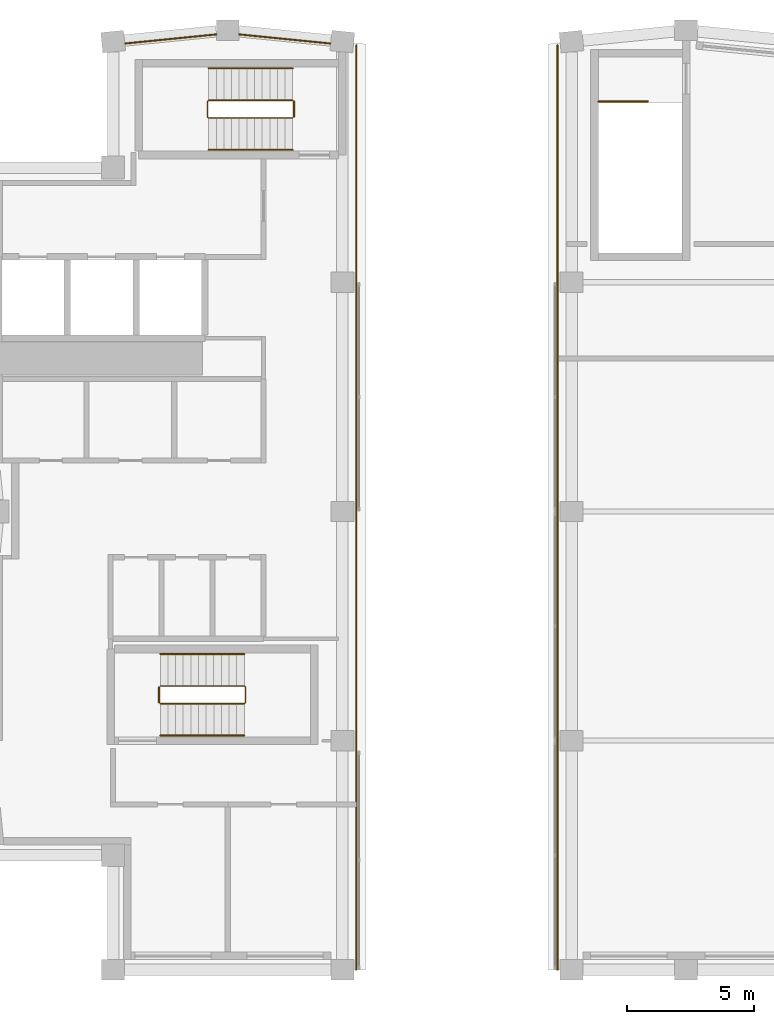
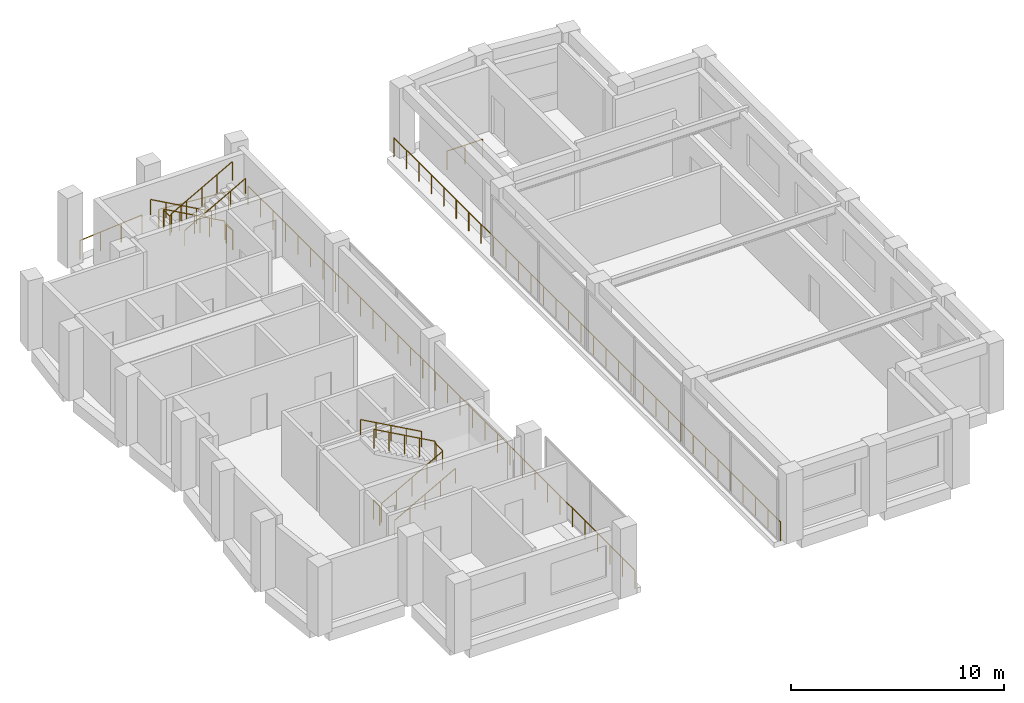
# One storey, part 9 of 9: 13 railings.
"""IFC4 building model written with IfcOpenShell, lengths in metres."""

import ifcopenshell
import ifcopenshell.guid

model = None  # the IFC model being written
_history = None  # IfcOwnerHistory: only IFC2X3 demands one
_inside = {}  # id of a spatial element -> (the spatial element, [elements in it])
_under = {}  # id of a project, library or spatial element -> (it, [spatial elements below it])
_declared = {}  # id of a project -> (the project, [libraries it declares])
_typed = {}  # id of a type object -> (the type object, [elements of that type])
_made_of = {}  # id of a material, layer set ... -> (it, [elements and type objects made of it])


def new_model(schema):
    """Start an empty IFC model of exactly this schema.

    Asked for "IFC4X3", IfcOpenShell would pick the latest addendum, in which some entities
    have other attributes; the version numbers below select the first issue.
    IFC2X3 requires an IfcOwnerHistory on every rooted entity: one is made here for all.
    """
    global model, _history
    if schema == "IFC4X3":
        model = ifcopenshell.file(schema_version=(4, 3, 0, 0))
    else:
        model = ifcopenshell.file(schema=schema)
    _inside.clear()
    _under.clear()
    _declared.clear()
    _typed.clear()
    _made_of.clear()
    _history = None
    if model.schema == "IFC2X3":
        org = make("IfcOrganization", Name="unknown")
        user = make(
            "IfcPersonAndOrganization",
            ThePerson=make("IfcPerson", FamilyName="unknown"),
            TheOrganization=org,
        )
        app = make(
            "IfcApplication",
            ApplicationDeveloper=org,
            Version="unknown",
            ApplicationFullName="unknown",
            ApplicationIdentifier="unknown",
        )
        _history = make(
            "IfcOwnerHistory",
            OwningUser=user,
            OwningApplication=app,
            ChangeAction="ADDED",
            CreationDate=0,
        )
    return model


def make(cls, **values):
    """One entity of the class cls with the attributes given. An attribute that is None is left unset."""
    return model.create_entity(
        cls, **{name: value for name, value in values.items() if value is not None}
    )


def rooted(cls, **values):
    """An entity with a GlobalId (a new one), such as an element, a storey or a relation."""
    return make(cls, GlobalId=ifcopenshell.guid.new(), OwnerHistory=_history, **values)


def si_unit(unit_type, name, prefix=None):
    """IfcSIUnit, for example si_unit("LENGTHUNIT", "METRE", prefix="MILLI")."""
    return make("IfcSIUnit", UnitType=unit_type, Prefix=prefix, Name=name)


def assignment(units):
    """IfcUnitAssignment: the units of a project."""
    return None if units is None else make("IfcUnitAssignment", Units=units)


def point(xyz):
    """IfcCartesianPoint."""
    return None if xyz is None else make("IfcCartesianPoint", Coordinates=xyz)


def direction(xyz):
    """IfcDirection."""
    return None if xyz is None else make("IfcDirection", DirectionRatios=xyz)


def frame(location, z_axis=None, x_axis=None):
    """IfcAxis2Placement3D, a coordinate frame: its origin and axes. An axis left out is left unset."""
    return make(
        "IfcAxis2Placement3D",
        Location=point(location),
        Axis=direction(z_axis),
        RefDirection=direction(x_axis),
    )


def frame_2d(location, x_axis=None):
    """IfcAxis2Placement2D, a coordinate frame in the plane: its origin and x axis."""
    return make(
        "IfcAxis2Placement2D", Location=point(location), RefDirection=direction(x_axis)
    )


def origin():
    """The frame at (0, 0, 0) with its axes left unset."""
    return frame((0.0, 0.0, 0.0))


def origin_2d():
    """The frame at (0, 0) in the plane with its x axis left unset."""
    return frame_2d((0.0, 0.0))


def place(relative_to, where):
    """IfcLocalPlacement: puts the frame where relative to a parent placement (None: the world)."""
    return make(
        "IfcLocalPlacement", PlacementRelTo=relative_to, RelativePlacement=where
    )


def context(
    kind, dimensions, precision=None, world=None, true_north=None, identifier=None
):
    """IfcGeometricRepresentationContext, for example the 3D "Model" context."""
    return make(
        "IfcGeometricRepresentationContext",
        ContextIdentifier=identifier,
        ContextType=kind,
        CoordinateSpaceDimension=dimensions,
        Precision=precision,
        WorldCoordinateSystem=world,
        TrueNorth=true_north,
    )


def subcontext(parent, identifier, kind, view, scale=None):
    """IfcGeometricRepresentationSubContext, for example "Body" below "Model"."""
    return make(
        "IfcGeometricRepresentationSubContext",
        ContextIdentifier=identifier,
        ContextType=kind,
        ParentContext=parent,
        TargetScale=scale,
        TargetView=view,
    )


def project(units=None, contexts=None):
    """IfcProject with its units and contexts."""
    return rooted(
        "IfcProject",
        Name="project",
        RepresentationContexts=contexts,
        UnitsInContext=assignment(units),
    )


def spatial(cls, under=None, at=None, **own):
    """A site, building, storey or space (cls), placed at a placement, below another one or the project."""
    s = rooted(cls, ObjectPlacement=at, **own)
    if under is not None:
        _under.setdefault(under.id(), (under, []))[1].append(s)
    return s


def profile(cls, at=None, kind="AREA", **sizes):
    """A parametric profile (cls). Its sizes go by their IFC names, for example OverallWidth=200.0."""
    return make(cls, ProfileType=kind, Position=at, **sizes)


def circle(**sizes):
    """IfcCircleProfileDef."""
    return profile("IfcCircleProfileDef", **sizes)


def extrude(swept, where, along, depth):
    """IfcExtrudedAreaSolid: the profile swept, set in the frame where, extruded along a direction by depth."""
    return make(
        "IfcExtrudedAreaSolid",
        SweptArea=swept,
        Position=where,
        ExtrudedDirection=direction(along),
        Depth=depth,
    )


def shape(context_of_items, identifier, shape_type, items):
    """IfcShapeRepresentation: the items that make up one representation, for example the "Body"."""
    return make(
        "IfcShapeRepresentation",
        ContextOfItems=context_of_items,
        RepresentationIdentifier=identifier,
        RepresentationType=shape_type,
        Items=items,
    )


def material(Name=None, Category=None):
    """IfcMaterial."""
    return make("IfcMaterial", Name=Name, Category=Category)


def made_of(thing, what):
    """Note that an element or type object is made of a material, layer set ...; save() writes the relation."""
    if what is not None:
        _made_of.setdefault(what.id(), (what, []))[1].append(thing)
    return thing


def type_object(cls, material=None, **own):
    """A type object (cls), such as IfcWallType, which elements share."""
    return made_of(rooted(cls, **own), material)


def element(
    cls,
    number,
    at=None,
    inside=None,
    cuts=None,
    type_object=None,
    material=None,
    context=None,
    identifier="Body",
    shape_type=None,
    held_by="IfcProductDefinitionShape",
    body=None,
    shapes=None,
    **own,
):
    """One element of the class cls, such as IfcWall. Its Tag is "e" and its number.

    at: its placement. inside: the storey or other place that contains it. cuts: it is an
    opening in that element (IfcRelVoidsElement). A single representation is given by context,
    identifier, shape_type and body (its items); several are given by shapes. held_by: the class
    of the entity that holds the representations. save() writes the other relations.
    """
    e = rooted(cls, Tag="e%d" % number, ObjectPlacement=at, **own)
    if body is not None:
        shapes = [shape(context, identifier, shape_type, body)]
    if shapes is not None:
        e.Representation = make(held_by, Representations=shapes)
    if inside is not None:
        _inside.setdefault(inside.id(), (inside, []))[1].append(e)
    if cuts is not None:
        rooted(
            "IfcRelVoidsElement", RelatingBuildingElement=cuts, RelatedOpeningElement=e
        )
    if type_object is not None:
        _typed.setdefault(type_object.id(), (type_object, []))[1].append(e)
    return made_of(e, material)


def aggregate(whole, parts):
    """IfcRelAggregates: a whole, such as a stair, and the parts it consists of."""
    return rooted("IfcRelAggregates", RelatingObject=whole, RelatedObjects=parts)


def save(model, path):
    """Write the relations noted so far, then the file.

    IfcRelAggregates (storeys below a building ...), IfcRelContainedInSpatialStructure (elements
    in a storey), IfcRelDefinesByType, IfcRelAssociatesMaterial and IfcRelDeclares: one each for
    every whole, place, type object, material and project.
    """
    for whole, parts in _under.values():
        aggregate(whole, parts)
    for where, things in _inside.values():
        rooted(
            "IfcRelContainedInSpatialStructure",
            RelatedElements=things,
            RelatingStructure=where,
        )
    for kind, things in _typed.values():
        rooted("IfcRelDefinesByType", RelatedObjects=things, RelatingType=kind)
    for what, things in _made_of.values():
        rooted("IfcRelAssociatesMaterial", RelatedObjects=things, RelatingMaterial=what)
    for by, libraries in _declared.values():
        rooted("IfcRelDeclares", RelatingContext=by, RelatedDefinitions=libraries)
    model.write(path)


model = new_model("IFC4")

# Units and contexts
model_context = context("Model", 3, precision=1e-05, world=origin(), true_north=direction((0.0, 1.0)))
body_context = subcontext(model_context, "Body", "Model", "MODEL_VIEW")
ifc_project = project(units=[si_unit("LENGTHUNIT", "METRE"), si_unit("AREAUNIT", "SQUARE_METRE"), si_unit("VOLUMEUNIT", "CUBIC_METRE"), si_unit("PLANEANGLEUNIT", "RADIAN"), si_unit("MASSUNIT", "GRAM", prefix="KILO")], contexts=[model_context])

# Site, building, storey
site_placement = place(None, origin())
site = spatial("IfcSite", under=ifc_project, at=site_placement, CompositionType="ELEMENT")
building_placement = place(site_placement, origin())
building = spatial("IfcBuilding", under=site, at=building_placement, Name="Brondeck Convention Tower", CompositionType="ELEMENT")
storey_placement = place(building_placement, frame((0.0, 0.0, 294.800048828125)))
storey = spatial("IfcBuildingStorey", under=building, at=storey_placement, Name="L73", CompositionType="ELEMENT", Elevation=294.800048828125)

# Railings
ifc_material_1 = material(Name="Steel S355, bronze painted", Category="steel")
railing_type_1 = type_object("IfcRailingType", Name="Guard, bronze steel rail and posts", PredefinedType="GUARDRAIL", material=ifc_material_1)
railing_1_placement = place(storey_placement, frame((14.050048828125, 27.0, 0.0)))
element("IfcRailing", 1, at=railing_1_placement, inside=storey, type_object=railing_type_1, Name="ENV-SLOT-144-L73-RL1", PredefinedType="GUARDRAIL", context=body_context, shape_type="SweptSolid", body=[
    extrude(circle(Radius=0.02490234375, at=origin_2d()), frame((0.0, 0.0, 1.0751953125), z_axis=(0.0, 1.0, 0.0), x_axis=(-1.0, 0.0, 0.0)), (0.0, 0.0, 1.0), 36.294921875),
    extrude(circle(Radius=0.02490234375, at=origin_2d()), origin(), (0.0, 0.0, 1.0), 1.050048828125),
    extrude(circle(Radius=0.02490234375, at=origin_2d()), frame((0.0, 1.1708984375, 0.0)), (0.0, 0.0, 1.0), 1.050048828125),
    extrude(circle(Radius=0.02490234375, at=origin_2d()), frame((0.0, 2.341552734375, 0.0)), (0.0, 0.0, 1.0), 1.050048828125),
    extrude(circle(Radius=0.02490234375, at=origin_2d()), frame((0.0, 3.512451171875, 0.0)), (0.0, 0.0, 1.0), 1.050048828125),
    extrude(circle(Radius=0.02490234375, at=origin_2d()), frame((0.0, 4.68310546875, 0.0)), (0.0, 0.0, 1.0), 1.050048828125),
    extrude(circle(Radius=0.02490234375, at=origin_2d()), frame((0.0, 5.85400390625, 0.0)), (0.0, 0.0, 1.0), 1.050048828125),
    extrude(circle(Radius=0.02490234375, at=origin_2d()), frame((0.0, 7.02490234375, 0.0)), (0.0, 0.0, 1.0), 1.050048828125),
    extrude(circle(Radius=0.02490234375, at=origin_2d()), frame((0.0, 8.195556640625, 0.0)), (0.0, 0.0, 1.0), 1.050048828125),
    extrude(circle(Radius=0.02490234375, at=origin_2d()), frame((0.0, 9.366455078125, 0.0)), (0.0, 0.0, 1.0), 1.050048828125),
    extrude(circle(Radius=0.02490234375, at=origin_2d()), frame((0.0, 10.537353515625, 0.0)), (0.0, 0.0, 1.0), 1.050048828125),
    extrude(circle(Radius=0.02490234375, at=origin_2d()), frame((0.0, 11.7080078125, 0.0)), (0.0, 0.0, 1.0), 1.050048828125),
    extrude(circle(Radius=0.02490234375, at=origin_2d()), frame((0.0, 12.87890625, 0.0)), (0.0, 0.0, 1.0), 1.050048828125),
    extrude(circle(Radius=0.02490234375, at=origin_2d()), frame((0.0, 14.049560546875, 0.0)), (0.0, 0.0, 1.0), 1.050048828125),
    extrude(circle(Radius=0.02490234375, at=origin_2d()), frame((0.0, 15.220458984375, 0.0)), (0.0, 0.0, 1.0), 1.050048828125),
    extrude(circle(Radius=0.02490234375, at=origin_2d()), frame((0.0, 16.391357421875, 0.0)), (0.0, 0.0, 1.0), 1.050048828125),
    extrude(circle(Radius=0.02490234375, at=origin_2d()), frame((0.0, 17.56201171875, 0.0)), (0.0, 0.0, 1.0), 1.050048828125),
    extrude(circle(Radius=0.02490234375, at=origin_2d()), frame((0.0, 18.73291015625, 0.0)), (0.0, 0.0, 1.0), 1.050048828125),
    extrude(circle(Radius=0.02490234375, at=origin_2d()), frame((0.0, 19.903564453125, 0.0)), (0.0, 0.0, 1.0), 1.050048828125),
    extrude(circle(Radius=0.02490234375, at=origin_2d()), frame((0.0, 21.074462890625, 0.0)), (0.0, 0.0, 1.0), 1.050048828125),
    extrude(circle(Radius=0.02490234375, at=origin_2d()), frame((0.0, 22.245361328125, 0.0)), (0.0, 0.0, 1.0), 1.050048828125),
    extrude(circle(Radius=0.02490234375, at=origin_2d()), frame((0.0, 23.416015625, 0.0)), (0.0, 0.0, 1.0), 1.050048828125),
    extrude(circle(Radius=0.02490234375, at=origin_2d()), frame((0.0, 24.5869140625, 0.0)), (0.0, 0.0, 1.0), 1.050048828125),
    extrude(circle(Radius=0.02490234375, at=origin_2d()), frame((0.0, 25.757568359375, 0.0)), (0.0, 0.0, 1.0), 1.050048828125),
    extrude(circle(Radius=0.02490234375, at=origin_2d()), frame((0.0, 26.928466796875, 0.0)), (0.0, 0.0, 1.0), 1.050048828125),
    extrude(circle(Radius=0.02490234375, at=origin_2d()), frame((0.0, 28.099365234375, 0.0)), (0.0, 0.0, 1.0), 1.050048828125),
    extrude(circle(Radius=0.02490234375, at=origin_2d()), frame((0.0, 29.27001953125, 0.0)), (0.0, 0.0, 1.0), 1.050048828125),
    extrude(circle(Radius=0.02490234375, at=origin_2d()), frame((0.0, 30.44091796875, 0.0)), (0.0, 0.0, 1.0), 1.050048828125),
    extrude(circle(Radius=0.02490234375, at=origin_2d()), frame((0.0, 31.61181640625, 0.0)), (0.0, 0.0, 1.0), 1.050048828125),
    extrude(circle(Radius=0.02490234375, at=origin_2d()), frame((0.0, 32.782470703125, 0.0)), (0.0, 0.0, 1.0), 1.050048828125),
    extrude(circle(Radius=0.02490234375, at=origin_2d()), frame((0.0, 33.953369140625, 0.0)), (0.0, 0.0, 1.0), 1.050048828125),
    extrude(circle(Radius=0.02490234375, at=origin_2d()), frame((0.0, 35.1240234375, 0.0)), (0.0, 0.0, 1.0), 1.050048828125),
    extrude(circle(Radius=0.02490234375, at=origin_2d()), frame((0.0, 36.294921875, 0.0)), (0.0, 0.0, 1.0), 1.050048828125),
])
railing_2_placement = place(storey_placement, frame((21.949951171875, 27.0, 0.0)))
element("IfcRailing", 2, at=railing_2_placement, inside=storey, type_object=railing_type_1, Name="ENV-SLOT-216-L73-RL1", PredefinedType="GUARDRAIL", context=body_context, shape_type="SweptSolid", body=[
    extrude(circle(Radius=0.02490234375, at=origin_2d()), frame((0.0, 0.0, 1.0751953125), z_axis=(0.0, 1.0, 0.0), x_axis=(-1.0, 0.0, 0.0)), (0.0, 0.0, 1.0), 36.294921875),
    extrude(circle(Radius=0.02490234375, at=origin_2d()), origin(), (0.0, 0.0, 1.0), 1.050048828125),
    extrude(circle(Radius=0.02490234375, at=origin_2d()), frame((0.0, 1.1708984375, 0.0)), (0.0, 0.0, 1.0), 1.050048828125),
    extrude(circle(Radius=0.02490234375, at=origin_2d()), frame((0.0, 2.341552734375, 0.0)), (0.0, 0.0, 1.0), 1.050048828125),
    extrude(circle(Radius=0.02490234375, at=origin_2d()), frame((0.0, 3.512451171875, 0.0)), (0.0, 0.0, 1.0), 1.050048828125),
    extrude(circle(Radius=0.02490234375, at=origin_2d()), frame((0.0, 4.68310546875, 0.0)), (0.0, 0.0, 1.0), 1.050048828125),
    extrude(circle(Radius=0.02490234375, at=origin_2d()), frame((0.0, 5.85400390625, 0.0)), (0.0, 0.0, 1.0), 1.050048828125),
    extrude(circle(Radius=0.02490234375, at=origin_2d()), frame((0.0, 7.02490234375, 0.0)), (0.0, 0.0, 1.0), 1.050048828125),
    extrude(circle(Radius=0.02490234375, at=origin_2d()), frame((0.0, 8.195556640625, 0.0)), (0.0, 0.0, 1.0), 1.050048828125),
    extrude(circle(Radius=0.02490234375, at=origin_2d()), frame((0.0, 9.366455078125, 0.0)), (0.0, 0.0, 1.0), 1.050048828125),
    extrude(circle(Radius=0.02490234375, at=origin_2d()), frame((0.0, 10.537353515625, 0.0)), (0.0, 0.0, 1.0), 1.050048828125),
    extrude(circle(Radius=0.02490234375, at=origin_2d()), frame((0.0, 11.7080078125, 0.0)), (0.0, 0.0, 1.0), 1.050048828125),
    extrude(circle(Radius=0.02490234375, at=origin_2d()), frame((0.0, 12.87890625, 0.0)), (0.0, 0.0, 1.0), 1.050048828125),
    extrude(circle(Radius=0.02490234375, at=origin_2d()), frame((0.0, 14.049560546875, 0.0)), (0.0, 0.0, 1.0), 1.050048828125),
    extrude(circle(Radius=0.02490234375, at=origin_2d()), frame((0.0, 15.220458984375, 0.0)), (0.0, 0.0, 1.0), 1.050048828125),
    extrude(circle(Radius=0.02490234375, at=origin_2d()), frame((0.0, 16.391357421875, 0.0)), (0.0, 0.0, 1.0), 1.050048828125),
    extrude(circle(Radius=0.02490234375, at=origin_2d()), frame((0.0, 17.56201171875, 0.0)), (0.0, 0.0, 1.0), 1.050048828125),
    extrude(circle(Radius=0.02490234375, at=origin_2d()), frame((0.0, 18.73291015625, 0.0)), (0.0, 0.0, 1.0), 1.050048828125),
    extrude(circle(Radius=0.02490234375, at=origin_2d()), frame((0.0, 19.903564453125, 0.0)), (0.0, 0.0, 1.0), 1.050048828125),
    extrude(circle(Radius=0.02490234375, at=origin_2d()), frame((0.0, 21.074462890625, 0.0)), (0.0, 0.0, 1.0), 1.050048828125),
    extrude(circle(Radius=0.02490234375, at=origin_2d()), frame((0.0, 22.245361328125, 0.0)), (0.0, 0.0, 1.0), 1.050048828125),
    extrude(circle(Radius=0.02490234375, at=origin_2d()), frame((0.0, 23.416015625, 0.0)), (0.0, 0.0, 1.0), 1.050048828125),
    extrude(circle(Radius=0.02490234375, at=origin_2d()), frame((0.0, 24.5869140625, 0.0)), (0.0, 0.0, 1.0), 1.050048828125),
    extrude(circle(Radius=0.02490234375, at=origin_2d()), frame((0.0, 25.757568359375, 0.0)), (0.0, 0.0, 1.0), 1.050048828125),
    extrude(circle(Radius=0.02490234375, at=origin_2d()), frame((0.0, 26.928466796875, 0.0)), (0.0, 0.0, 1.0), 1.050048828125),
    extrude(circle(Radius=0.02490234375, at=origin_2d()), frame((0.0, 28.099365234375, 0.0)), (0.0, 0.0, 1.0), 1.050048828125),
    extrude(circle(Radius=0.02490234375, at=origin_2d()), frame((0.0, 29.27001953125, 0.0)), (0.0, 0.0, 1.0), 1.050048828125),
    extrude(circle(Radius=0.02490234375, at=origin_2d()), frame((0.0, 30.44091796875, 0.0)), (0.0, 0.0, 1.0), 1.050048828125),
    extrude(circle(Radius=0.02490234375, at=origin_2d()), frame((0.0, 31.61181640625, 0.0)), (0.0, 0.0, 1.0), 1.050048828125),
    extrude(circle(Radius=0.02490234375, at=origin_2d()), frame((0.0, 32.782470703125, 0.0)), (0.0, 0.0, 1.0), 1.050048828125),
    extrude(circle(Radius=0.02490234375, at=origin_2d()), frame((0.0, 33.953369140625, 0.0)), (0.0, 0.0, 1.0), 1.050048828125),
    extrude(circle(Radius=0.02490234375, at=origin_2d()), frame((0.0, 35.1240234375, 0.0)), (0.0, 0.0, 1.0), 1.050048828125),
    extrude(circle(Radius=0.02490234375, at=origin_2d()), frame((0.0, 36.294921875, 0.0)), (0.0, 0.0, 1.0), 1.050048828125),
])
railing_3_placement = place(storey_placement, frame((4.9794921875, 63.37744140625, 0.0)))
element("IfcRailing", 3, at=railing_3_placement, inside=storey, type_object=railing_type_1, Name="ENV-RL-L73-REAR1", PredefinedType="GUARDRAIL", context=body_context, shape_type="SweptSolid", body=[
    extrude(circle(Radius=0.02490234375, at=origin_2d()), frame((0.0, 0.0, 1.0751953125), z_axis=(0.995037864926, 0.099496971632, 0.0), x_axis=(-0.099496971632, 0.995037864926, 0.0)), (0.0, 0.0, 1.0), 3.58251953125),
    extrude(circle(Radius=0.02490234375, at=origin_2d()), origin(), (0.0, 0.0, 1.0), 1.050048828125),
    extrude(circle(Radius=0.02490234375, at=origin_2d()), frame((1.188232421875, 0.118896484375, 0.0)), (0.0, 0.0, 1.0), 1.050048828125),
    extrude(circle(Radius=0.02490234375, at=origin_2d()), frame((2.37646484375, 0.237548828125, 0.0)), (0.0, 0.0, 1.0), 1.050048828125),
    extrude(circle(Radius=0.02490234375, at=origin_2d()), frame((3.564697265625, 0.3564453125, 0.0)), (0.0, 0.0, 1.0), 1.050048828125),
])
railing_4_placement = place(storey_placement, frame((9.455810546875, 63.73388671875, 0.0)))
element("IfcRailing", 4, at=railing_4_placement, inside=storey, type_object=railing_type_1, Name="ENV-RL-L73-REAR2", PredefinedType="GUARDRAIL", context=body_context, shape_type="SweptSolid", body=[
    extrude(circle(Radius=0.02490234375, at=origin_2d()), frame((0.0, 0.0, 1.0751953125), z_axis=(0.995037864926, -0.099496971632, 0.0), x_axis=(0.099496971632, 0.995037864926, 0.0)), (0.0, 0.0, 1.0), 3.58251953125),
    extrude(circle(Radius=0.02490234375, at=origin_2d()), origin(), (0.0, 0.0, 1.0), 1.050048828125),
    extrude(circle(Radius=0.02490234375, at=origin_2d()), frame((1.188232421875, -0.118896484375, 0.0)), (0.0, 0.0, 1.0), 1.050048828125),
    extrude(circle(Radius=0.02490234375, at=origin_2d()), frame((2.37646484375, -0.237548828125, 0.0)), (0.0, 0.0, 1.0), 1.050048828125),
    extrude(circle(Radius=0.02490234375, at=origin_2d()), frame((3.564697265625, -0.3564453125, 0.0)), (0.0, 0.0, 1.0), 1.050048828125),
])
ifc_material_2 = material(Name="Steel S355", Category="steel")
railing_type_2 = type_object("IfcRailingType", Name="Stair guard 1100", PredefinedType="GUARDRAIL", material=ifc_material_2)
railing_5_placement = place(storey_placement, frame((6.35009765625, 37.449951171875, 0.16650390625)))
element("IfcRailing", 5, at=railing_5_placement, inside=storey, type_object=railing_type_2, Name="L73 ST-1 stair guard 1", PredefinedType="GUARDRAIL", context=body_context, shape_type="SweptSolid", body=[
    extrude(circle(Radius=0.02392578125, at=origin_2d()), frame((0.0, 0.0, 1.076171875), z_axis=(0.874126768038, 0.0, 0.485697841667), x_axis=(0.0, 1.0, 0.0)), (0.0, 0.0, 1.0), 3.77490234375),
    extrude(circle(Radius=0.02392578125, at=origin_2d()), frame((3.2998046875, 0.0, 2.90966796875), z_axis=(0.707106781187, 0.707106781187, 0.0), x_axis=(-0.707106781187, 0.707106781187, 0.0)), (0.0, 0.0, 1.0), 0.07080078125),
    extrude(circle(Radius=0.02392578125, at=origin_2d()), frame((3.349853515625, 0.050048828125, 2.90966796875), z_axis=(0.0, 1.0, 0.0), x_axis=(-1.0, 0.0, 0.0)), (0.0, 0.0, 1.0), 0.60009765625),
    extrude(circle(Radius=0.02392578125, at=origin_2d()), frame((3.349853515625, 0.650146484375, 2.90966796875), z_axis=(-0.276732813696, 0.275382897532, 0.920642824102), x_axis=(-0.705375805398, -0.708833529934, 0.0)), (0.0, 0.0, 1.0), 0.180908203125),
    extrude(circle(Radius=0.02392578125, at=origin_2d()), frame((3.2998046875, 0.699951171875, 3.076171875), z_axis=(-0.874126768038, 0.0, 0.485697841667), x_axis=(0.0, -1.0, 0.0)), (0.0, 0.0, 1.0), 3.77490234375),
    extrude(circle(Radius=0.02099609375, at=origin_2d()), origin(), (0.0, 0.0, 1.0), 1.052001953125),
    extrude(circle(Radius=0.02099609375, at=origin_2d()), frame((0.824951171875, 0.0, 0.45849609375)), (0.0, 0.0, 1.0), 1.052001953125),
    extrude(circle(Radius=0.02099609375, at=origin_2d()), frame((1.64990234375, 0.0, 0.916748046875)), (0.0, 0.0, 1.0), 1.052001953125),
    extrude(circle(Radius=0.02099609375, at=origin_2d()), frame((2.474853515625, 0.0, 1.375)), (0.0, 0.0, 1.0), 1.052001953125),
    extrude(circle(Radius=0.02099609375, at=origin_2d()), frame((3.2998046875, 0.0, 1.83349609375)), (0.0, 0.0, 1.0), 1.052001953125),
    extrude(circle(Radius=0.02099609375, at=origin_2d()), frame((3.349853515625, 0.050048828125, 1.83349609375)), (0.0, 0.0, 1.0), 1.052001953125),
    extrude(circle(Radius=0.02099609375, at=origin_2d()), frame((3.349853515625, 0.650146484375, 1.83349609375)), (0.0, 0.0, 1.0), 1.052001953125),
    extrude(circle(Radius=0.02099609375, at=origin_2d()), frame((3.2998046875, 0.699951171875, 2.0)), (0.0, 0.0, 1.0), 1.052001953125),
    extrude(circle(Radius=0.02099609375, at=origin_2d()), frame((2.474853515625, 0.699951171875, 2.45849609375)), (0.0, 0.0, 1.0), 1.052001953125),
    extrude(circle(Radius=0.02099609375, at=origin_2d()), frame((1.64990234375, 0.699951171875, 2.916748046875)), (0.0, 0.0, 1.0), 1.052001953125),
    extrude(circle(Radius=0.02099609375, at=origin_2d()), frame((0.824951171875, 0.699951171875, 3.375)), (0.0, 0.0, 1.0), 1.052001953125),
    extrude(circle(Radius=0.02099609375, at=origin_2d()), frame((0.0, 0.699951171875, 3.83349609375)), (0.0, 0.0, 1.0), 1.052001953125),
])
railing_6_placement = place(storey_placement, frame((6.300048828125, 37.5, 0.0)))
element("IfcRailing", 6, at=railing_6_placement, inside=storey, type_object=railing_type_2, Name="L73 ST-1 stair guard 2", PredefinedType="GUARDRAIL", context=body_context, shape_type="SweptSolid", body=[
    extrude(circle(Radius=0.02392578125, at=origin_2d()), frame((0.0, 0.0, 1.076171875), z_axis=(0.0, 1.0, 0.0), x_axis=(-1.0, 0.0, 0.0)), (0.0, 0.0, 1.0), 0.60009765625),
    extrude(circle(Radius=0.02099609375, at=origin_2d()), origin(), (0.0, 0.0, 1.0), 1.052001953125),
    extrude(circle(Radius=0.02099609375, at=origin_2d()), frame((0.0, 0.60009765625, 0.0)), (0.0, 0.0, 1.0), 1.052001953125),
])
railing_7_placement = place(storey_placement, frame((23.550048828125, 61.10009765625, 0.0)))
element("IfcRailing", 7, at=railing_7_placement, inside=storey, type_object=railing_type_2, Name="L73 ST-2 top well guard 1", PredefinedType="GUARDRAIL", context=body_context, shape_type="SweptSolid", body=[
    extrude(circle(Radius=0.02392578125, at=origin_2d()), frame((0.0, 0.0, 1.076171875), z_axis=(1.0, 0.0, 0.0), x_axis=(0.0, 1.0, 0.0)), (0.0, 0.0, 1.0), 1.949951171875),
    extrude(circle(Radius=0.02099609375, at=origin_2d()), origin(), (0.0, 0.0, 1.0), 1.052001953125),
    extrude(circle(Radius=0.02099609375, at=origin_2d()), frame((0.97509765625, 0.0, 0.0)), (0.0, 0.0, 1.0), 1.052001953125),
    extrude(circle(Radius=0.02099609375, at=origin_2d()), frame((1.949951171875, 0.0, 0.0)), (0.0, 0.0, 1.0), 1.052001953125),
])
railing_8_placement = place(storey_placement, frame((11.550048828125, 61.14990234375, 0.16650390625)))
element("IfcRailing", 8, at=railing_8_placement, inside=storey, type_object=railing_type_2, Name="L73 ST-3 stair guard 1", PredefinedType="GUARDRAIL", context=body_context, shape_type="SweptSolid", body=[
    extrude(circle(Radius=0.02392578125, at=origin_2d()), frame((0.0, 0.0, 1.076171875), z_axis=(-0.874142023373, 0.0, 0.48567038511), x_axis=(0.0, -1.0, 0.0)), (0.0, 0.0, 1.0), 3.775146484375),
    extrude(circle(Radius=0.02392578125, at=origin_2d()), frame((-3.300048828125, 0.0, 2.90966796875), z_axis=(-0.708833529934, -0.705375805398, 0.0), x_axis=(0.705375805398, -0.708833529934, 0.0)), (0.0, 0.0, 1.0), 0.070556640625),
    extrude(circle(Radius=0.02392578125, at=origin_2d()), frame((-3.35009765625, -0.0498046875, 2.90966796875), z_axis=(0.0, -1.0, 0.0), x_axis=(1.0, 0.0, 0.0)), (0.0, 0.0, 1.0), 0.60009765625),
    extrude(circle(Radius=0.02392578125, at=origin_2d()), frame((-3.35009765625, -0.64990234375, 2.90966796875), z_axis=(0.27662974545, -0.27662974545, 0.920299933644), x_axis=(0.707106781187, 0.707106781187, 0.0)), (0.0, 0.0, 1.0), 0.180908203125),
    extrude(circle(Radius=0.02392578125, at=origin_2d()), frame((-3.300048828125, -0.699951171875, 3.076171875), z_axis=(0.874142023373, 0.0, 0.48567038511), x_axis=(0.0, 1.0, 0.0)), (0.0, 0.0, 1.0), 3.775146484375),
    extrude(circle(Radius=0.02099609375, at=origin_2d()), origin(), (0.0, 0.0, 1.0), 1.052001953125),
    extrude(circle(Radius=0.02099609375, at=origin_2d()), frame((-0.824951171875, 0.0, 0.45849609375)), (0.0, 0.0, 1.0), 1.052001953125),
    extrude(circle(Radius=0.02099609375, at=origin_2d()), frame((-1.64990234375, 0.0, 0.916748046875)), (0.0, 0.0, 1.0), 1.052001953125),
    extrude(circle(Radius=0.02099609375, at=origin_2d()), frame((-2.47509765625, 0.0, 1.375)), (0.0, 0.0, 1.0), 1.052001953125),
    extrude(circle(Radius=0.02099609375, at=origin_2d()), frame((-3.300048828125, 0.0, 1.83349609375)), (0.0, 0.0, 1.0), 1.052001953125),
    extrude(circle(Radius=0.02099609375, at=origin_2d()), frame((-3.35009765625, -0.0498046875, 1.83349609375)), (0.0, 0.0, 1.0), 1.052001953125),
    extrude(circle(Radius=0.02099609375, at=origin_2d()), frame((-3.35009765625, -0.64990234375, 1.83349609375)), (0.0, 0.0, 1.0), 1.052001953125),
    extrude(circle(Radius=0.02099609375, at=origin_2d()), frame((-3.300048828125, -0.699951171875, 2.0)), (0.0, 0.0, 1.0), 1.052001953125),
    extrude(circle(Radius=0.02099609375, at=origin_2d()), frame((-2.47509765625, -0.699951171875, 2.45849609375)), (0.0, 0.0, 1.0), 1.052001953125),
    extrude(circle(Radius=0.02099609375, at=origin_2d()), frame((-1.64990234375, -0.699951171875, 2.916748046875)), (0.0, 0.0, 1.0), 1.052001953125),
    extrude(circle(Radius=0.02099609375, at=origin_2d()), frame((-0.824951171875, -0.699951171875, 3.375)), (0.0, 0.0, 1.0), 1.052001953125),
    extrude(circle(Radius=0.02099609375, at=origin_2d()), frame((0.0, -0.699951171875, 3.83349609375)), (0.0, 0.0, 1.0), 1.052001953125),
])
railing_9_placement = place(storey_placement, frame((11.60009765625, 61.10009765625, 0.0)))
element("IfcRailing", 9, at=railing_9_placement, inside=storey, type_object=railing_type_2, Name="L73 ST-3 stair guard 2", PredefinedType="GUARDRAIL", context=body_context, shape_type="SweptSolid", body=[
    extrude(circle(Radius=0.02392578125, at=origin_2d()), frame((0.0, 0.0, 1.076171875), z_axis=(0.0, -1.0, 0.0), x_axis=(1.0, 0.0, 0.0)), (0.0, 0.0, 1.0), 0.60009765625),
    extrude(circle(Radius=0.02099609375, at=origin_2d()), origin(), (0.0, 0.0, 1.0), 1.052001953125),
    extrude(circle(Radius=0.02099609375, at=origin_2d()), frame((0.0, -0.60009765625, 0.0)), (0.0, 0.0, 1.0), 1.052001953125),
])
railing_type_3 = type_object("IfcRailingType", Name="Stair handrail", PredefinedType="HANDRAIL", material=ifc_material_2)
railing_10_placement = place(storey_placement, frame((6.35009765625, 36.199951171875, 0.16650390625)))
element("IfcRailing", 10, at=railing_10_placement, inside=storey, type_object=railing_type_3, Name="L73 ST-1 stair handrail 1", PredefinedType="HANDRAIL", context=body_context, shape_type="SweptSolid", body=[
    extrude(circle(Radius=0.02392578125, at=origin_2d()), frame((0.0, 0.0, 0.8759765625), z_axis=(0.874126768038, 0.0, 0.485697841667), x_axis=(0.0, 1.0, 0.0)), (0.0, 0.0, 1.0), 3.77490234375),
    extrude(circle(Radius=0.02099609375, at=origin_2d()), origin(), (0.0, 0.0, 1.0), 0.851806640625),
    extrude(circle(Radius=0.02099609375, at=origin_2d()), frame((0.824951171875, 0.0, 0.45849609375)), (0.0, 0.0, 1.0), 0.851806640625),
    extrude(circle(Radius=0.02099609375, at=origin_2d()), frame((1.64990234375, 0.0, 0.916748046875)), (0.0, 0.0, 1.0), 0.851806640625),
    extrude(circle(Radius=0.02099609375, at=origin_2d()), frame((2.474853515625, 0.0, 1.375)), (0.0, 0.0, 1.0), 0.851806640625),
    extrude(circle(Radius=0.02099609375, at=origin_2d()), frame((3.2998046875, 0.0, 1.83349609375)), (0.0, 0.0, 1.0), 0.851806640625),
])
railing_11_placement = place(storey_placement, frame((9.64990234375, 39.39990234375, 2.16650390625)))
element("IfcRailing", 11, at=railing_11_placement, inside=storey, type_object=railing_type_3, Name="L73 ST-1 stair handrail 2", PredefinedType="HANDRAIL", context=body_context, shape_type="SweptSolid", body=[
    extrude(circle(Radius=0.02392578125, at=origin_2d()), frame((0.0, 0.0, 0.8759765625), z_axis=(-0.874126768038, 0.0, 0.485697841667), x_axis=(0.0, -1.0, 0.0)), (0.0, 0.0, 1.0), 3.77490234375),
    extrude(circle(Radius=0.02099609375, at=origin_2d()), origin(), (0.0, 0.0, 1.0), 0.851806640625),
    extrude(circle(Radius=0.02099609375, at=origin_2d()), frame((-0.824951171875, 0.0, 0.45849609375)), (0.0, 0.0, 1.0), 0.851806640625),
    extrude(circle(Radius=0.02099609375, at=origin_2d()), frame((-1.64990234375, 0.0, 0.916748046875)), (0.0, 0.0, 1.0), 0.851806640625),
    extrude(circle(Radius=0.02099609375, at=origin_2d()), frame((-2.474853515625, 0.0, 1.375)), (0.0, 0.0, 1.0), 0.851806640625),
    extrude(circle(Radius=0.02099609375, at=origin_2d()), frame((-3.2998046875, 0.0, 1.83349609375)), (0.0, 0.0, 1.0), 0.851806640625),
])
railing_12_placement = place(storey_placement, frame((11.550048828125, 62.39990234375, 0.16650390625)))
element("IfcRailing", 12, at=railing_12_placement, inside=storey, type_object=railing_type_3, Name="L73 ST-3 stair handrail 1", PredefinedType="HANDRAIL", context=body_context, shape_type="SweptSolid", body=[
    extrude(circle(Radius=0.02392578125, at=origin_2d()), frame((0.0, 0.0, 0.8759765625), z_axis=(-0.874142023373, 0.0, 0.48567038511), x_axis=(0.0, -1.0, 0.0)), (0.0, 0.0, 1.0), 3.775146484375),
    extrude(circle(Radius=0.02099609375, at=origin_2d()), origin(), (0.0, 0.0, 1.0), 0.851806640625),
    extrude(circle(Radius=0.02099609375, at=origin_2d()), frame((-0.824951171875, 0.0, 0.45849609375)), (0.0, 0.0, 1.0), 0.851806640625),
    extrude(circle(Radius=0.02099609375, at=origin_2d()), frame((-1.64990234375, 0.0, 0.916748046875)), (0.0, 0.0, 1.0), 0.851806640625),
    extrude(circle(Radius=0.02099609375, at=origin_2d()), frame((-2.47509765625, 0.0, 1.375)), (0.0, 0.0, 1.0), 0.851806640625),
    extrude(circle(Radius=0.02099609375, at=origin_2d()), frame((-3.300048828125, 0.0, 1.83349609375)), (0.0, 0.0, 1.0), 0.851806640625),
])
railing_13_placement = place(storey_placement, frame((8.25, 59.199951171875, 2.16650390625)))
element("IfcRailing", 13, at=railing_13_placement, inside=storey, type_object=railing_type_3, Name="L73 ST-3 stair handrail 2", PredefinedType="HANDRAIL", context=body_context, shape_type="SweptSolid", body=[
    extrude(circle(Radius=0.02392578125, at=origin_2d()), frame((0.0, 0.0, 0.8759765625), z_axis=(0.874142023373, 0.0, 0.48567038511), x_axis=(0.0, 1.0, 0.0)), (0.0, 0.0, 1.0), 3.775146484375),
    extrude(circle(Radius=0.02099609375, at=origin_2d()), origin(), (0.0, 0.0, 1.0), 0.851806640625),
    extrude(circle(Radius=0.02099609375, at=origin_2d()), frame((0.824951171875, 0.0, 0.45849609375)), (0.0, 0.0, 1.0), 0.851806640625),
    extrude(circle(Radius=0.02099609375, at=origin_2d()), frame((1.64990234375, 0.0, 0.916748046875)), (0.0, 0.0, 1.0), 0.851806640625),
    extrude(circle(Radius=0.02099609375, at=origin_2d()), frame((2.47509765625, 0.0, 1.375)), (0.0, 0.0, 1.0), 0.851806640625),
    extrude(circle(Radius=0.02099609375, at=origin_2d()), frame((3.300048828125, 0.0, 1.83349609375)), (0.0, 0.0, 1.0), 0.851806640625),
])

save(model, "model.ifc")
